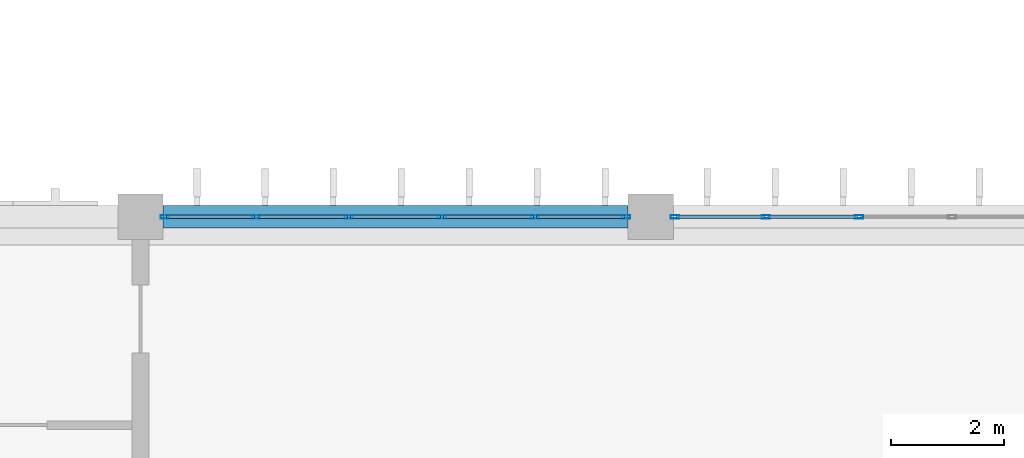
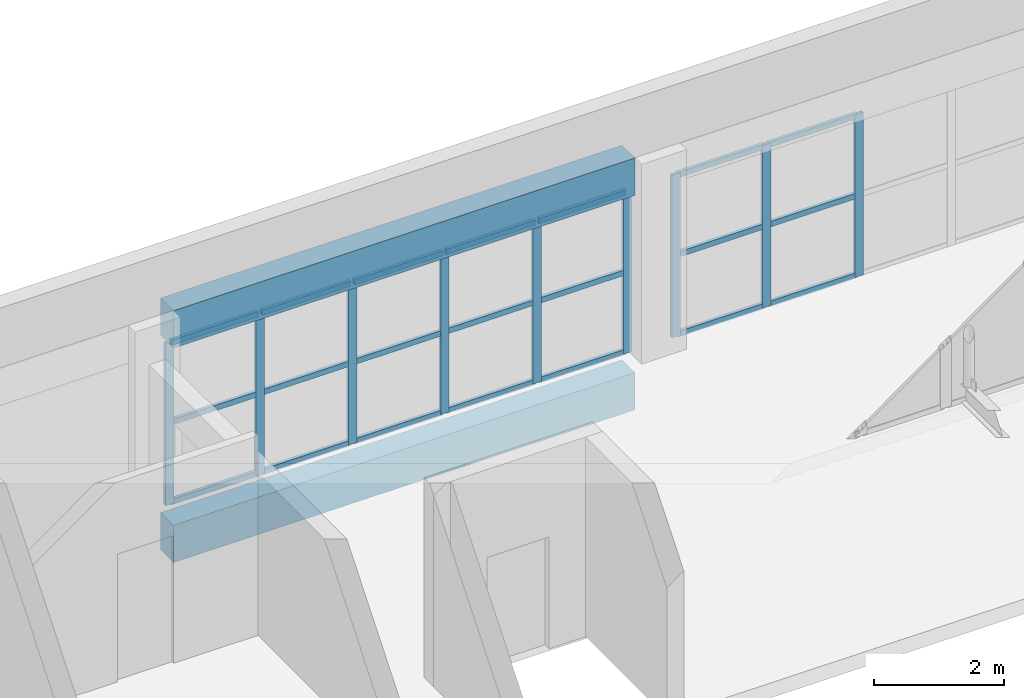
# One storey, part 56 of 185: 30 members, 2 beams, 2 elements without a shape of their own.
"""IFC4 building model written with IfcOpenShell, lengths in metres."""

from ifc_helpers import new_model, si_unit, direction, frame, origin, origin_2d, place, context, subcontext, project, spatial, rectangle, hollow_rectangle, extrude, material, layer, layer_set, material_profile, profile_set, type_object, element, aggregate, save


model = new_model("IFC4")

# Units and contexts
model_context = context("Model", 3, precision=1e-05, world=origin(), true_north=direction((0.0, 1.0)))
body_context = subcontext(model_context, "Body", "Model", "MODEL_VIEW")
ifc_project = project(units=[si_unit("LENGTHUNIT", "METRE"), si_unit("AREAUNIT", "SQUARE_METRE"), si_unit("VOLUMEUNIT", "CUBIC_METRE"), si_unit("PLANEANGLEUNIT", "RADIAN"), si_unit("MASSUNIT", "GRAM", prefix="KILO")], contexts=[model_context])

# Site, building, storey
site_placement = place(None, origin())
site = spatial("IfcSite", under=ifc_project, at=site_placement, CompositionType="ELEMENT")
building_placement = place(site_placement, origin())
building = spatial("IfcBuilding", under=site, at=building_placement, Name="Opaline Strait Convention Centre", CompositionType="ELEMENT")
storey_placement = place(building_placement, frame((0.0, 0.0, 6.0)))
storey = spatial("IfcBuildingStorey", under=building, at=storey_placement, Name="L01", CompositionType="ELEMENT", Elevation=6.0)

# Curtain wall, members
ifc_material_1 = material(Name="Aluminium 6063-T5", Category="aluminium")
ifc_layer = layer(ifc_material_1, 0.199951171875)
ifc_layer_set = layer_set([ifc_layer], Name="Aluminium 6063-T5")
curtain_wall_type = type_object("IfcCurtainWallType", Name="Unitised curtain wall 1640 module", PredefinedType="NOTDEFINED", material=ifc_layer_set)
curtain_wall_1_placement = place(storey_placement, origin())
curtain_wall_1 = element("IfcCurtainWall", 1, at=curtain_wall_1_placement, inside=storey, type_object=curtain_wall_type, Name="Ballroom north curtain wall L01 bay 2", PredefinedType="NOTDEFINED")
ifc_material_2 = material(Name="Aluminium alloy 6063", Category="aluminium")
ifc_material_profile_1 = material_profile(ifc_material_2, hollow_rectangle(XDim=0.06005859375, YDim=0.14990234375, WallThickness=0.00390625, at=origin_2d()), Name="MULLION 60x150x4")
ifc_profile_set_1 = profile_set([ifc_material_profile_1], Name="Aluminium alloy 6063")
member_type_1 = type_object("IfcMemberType", Name="Curtain wall mullion 60 x 150", PredefinedType="MULLION", material=ifc_profile_set_1)
member_1_placement = place(storey_placement, frame((297.429931640625, 72.0, 0.0), z_axis=(0.0, 0.0, 1.0), x_axis=(0.0, 1.0, 0.0)))
member_1 = element("IfcMember", 2, at=member_1_placement, type_object=member_type_1, Name="BG2 mullion 1", PredefinedType="MULLION", context=body_context, shape_type="SweptSolid", body=[
    extrude(hollow_rectangle(XDim=0.06005859375, YDim=0.14990234375, WallThickness=0.00390625, at=origin_2d()), origin(), (0.0, 0.0, 1.0), 3.050048828125),
])
member_2_placement = place(storey_placement, frame((299.0400390625, 72.0, 0.0), z_axis=(0.0, 0.0, 1.0), x_axis=(0.0, 1.0, 0.0)))
member_2 = element("IfcMember", 3, at=member_2_placement, type_object=member_type_1, Name="BG2 mullion 2", PredefinedType="MULLION", context=body_context, shape_type="SweptSolid", body=[
    extrude(hollow_rectangle(XDim=0.06005859375, YDim=0.14990234375, WallThickness=0.00390625, at=origin_2d()), origin(), (0.0, 0.0, 1.0), 3.050048828125),
])
member_3_placement = place(storey_placement, frame((300.679931640625, 72.0, 0.0), z_axis=(0.0, 0.0, 1.0), x_axis=(0.0, 1.0, 0.0)))
member_3 = element("IfcMember", 4, at=member_3_placement, type_object=member_type_1, Name="BG2 mullion 3", PredefinedType="MULLION", context=body_context, shape_type="SweptSolid", body=[
    extrude(hollow_rectangle(XDim=0.06005859375, YDim=0.14990234375, WallThickness=0.00390625, at=origin_2d()), origin(), (0.0, 0.0, 1.0), 3.050048828125),
])
member_4_placement = place(storey_placement, frame((302.320068359375, 72.0, 0.0), z_axis=(0.0, 0.0, 1.0), x_axis=(0.0, 1.0, 0.0)))
member_4 = element("IfcMember", 5, at=member_4_placement, type_object=member_type_1, Name="BG2 mullion 4", PredefinedType="MULLION", context=body_context, shape_type="SweptSolid", body=[
    extrude(hollow_rectangle(XDim=0.06005859375, YDim=0.14990234375, WallThickness=0.00390625, at=origin_2d()), origin(), (0.0, 0.0, 1.0), 3.050048828125),
])
member_5_placement = place(storey_placement, frame((303.9599609375, 72.0, 0.0), z_axis=(0.0, 0.0, 1.0), x_axis=(0.0, 1.0, 0.0)))
member_5 = element("IfcMember", 6, at=member_5_placement, type_object=member_type_1, Name="BG2 mullion 5", PredefinedType="MULLION", context=body_context, shape_type="SweptSolid", body=[
    extrude(hollow_rectangle(XDim=0.06005859375, YDim=0.14990234375, WallThickness=0.00390625, at=origin_2d()), origin(), (0.0, 0.0, 1.0), 3.050048828125),
])
member_6_placement = place(storey_placement, frame((305.570068359375, 72.0, 0.0), z_axis=(0.0, 0.0, 1.0), x_axis=(0.0, 1.0, 0.0)))
member_6 = element("IfcMember", 7, at=member_6_placement, type_object=member_type_1, Name="BG2 mullion 6", PredefinedType="MULLION", context=body_context, shape_type="SweptSolid", body=[
    extrude(hollow_rectangle(XDim=0.06005859375, YDim=0.14990234375, WallThickness=0.00390625, at=origin_2d()), origin(), (0.0, 0.0, 1.0), 3.050048828125),
])

curtain_wall_2_placement = place(storey_placement, origin())
curtain_wall_2 = element("IfcCurtainWall", 8, at=curtain_wall_2_placement, inside=storey, type_object=curtain_wall_type, Name="Ballroom north curtain wall L01 bay 3", PredefinedType="NOTDEFINED")
member_7_placement = place(storey_placement, frame((306.429931640625, 72.0, 0.0), z_axis=(0.0, 0.0, 1.0), x_axis=(0.0, 1.0, 0.0)))
member_7 = element("IfcMember", 9, at=member_7_placement, type_object=member_type_1, Name="BG2 mullion 1", PredefinedType="MULLION", context=body_context, shape_type="SweptSolid", body=[
    extrude(hollow_rectangle(XDim=0.06005859375, YDim=0.14990234375, WallThickness=0.00390625, at=origin_2d()), origin(), (0.0, 0.0, 1.0), 3.050048828125),
])
member_8_placement = place(storey_placement, frame((308.0400390625, 72.0, 0.0), z_axis=(0.0, 0.0, 1.0), x_axis=(0.0, 1.0, 0.0)))
member_8 = element("IfcMember", 10, at=member_8_placement, type_object=member_type_1, Name="BG2 mullion 2", PredefinedType="MULLION", context=body_context, shape_type="SweptSolid", body=[
    extrude(hollow_rectangle(XDim=0.06005859375, YDim=0.14990234375, WallThickness=0.00390625, at=origin_2d()), origin(), (0.0, 0.0, 1.0), 3.050048828125),
])
member_9_placement = place(storey_placement, frame((309.679931640625, 72.0, 0.0), z_axis=(0.0, 0.0, 1.0), x_axis=(0.0, 1.0, 0.0)))
member_9 = element("IfcMember", 11, at=member_9_placement, type_object=member_type_1, Name="BG2 mullion 3", PredefinedType="MULLION", context=body_context, shape_type="SweptSolid", body=[
    extrude(hollow_rectangle(XDim=0.06005859375, YDim=0.14990234375, WallThickness=0.00390625, at=origin_2d()), origin(), (0.0, 0.0, 1.0), 3.050048828125),
])

# Member
ifc_material_profile_2 = material_profile(ifc_material_2, hollow_rectangle(XDim=0.06005859375, YDim=0.10009765625, WallThickness=0.0029296875, at=origin_2d()), Name="TRANSOM 60x100x3")
ifc_profile_set_2 = profile_set([ifc_material_profile_2], Name="Aluminium alloy 6063")
member_type_2 = type_object("IfcMemberType", Name="Curtain wall transom 60 x 100", PredefinedType="USERDEFINED", material=ifc_profile_set_2)
member_10_placement = place(storey_placement, frame((297.4599609375, 72.0, 0.030029296875), z_axis=(1.0, 0.0, 0.0), x_axis=(0.0, 1.0, 0.0)))
member_10 = element("IfcMember", 12, at=member_10_placement, type_object=member_type_2, Name="BG2 transom 1.1", ObjectType="TRANSOM", PredefinedType="USERDEFINED", context=body_context, shape_type="SweptSolid", body=[
    extrude(hollow_rectangle(XDim=0.06005859375, YDim=0.10009765625, WallThickness=0.0029296875, at=origin_2d()), origin(), (0.0, 0.0, 1.0), 1.550048828125),
])

member_11_placement = place(storey_placement, frame((297.4599609375, 72.0, 1.52490234375), z_axis=(1.0, 0.0, 0.0), x_axis=(0.0, 1.0, 0.0)))
member_11 = element("IfcMember", 13, at=member_11_placement, type_object=member_type_2, Name="BG2 transom 1.2", ObjectType="TRANSOM", PredefinedType="USERDEFINED", context=body_context, shape_type="SweptSolid", body=[
    extrude(hollow_rectangle(XDim=0.06005859375, YDim=0.10009765625, WallThickness=0.0029296875, at=origin_2d()), origin(), (0.0, 0.0, 1.0), 1.550048828125),
])

member_12_placement = place(storey_placement, frame((297.4599609375, 72.0, 3.02001953125), z_axis=(1.0, 0.0, 0.0), x_axis=(0.0, 1.0, 0.0)))
member_12 = element("IfcMember", 14, at=member_12_placement, type_object=member_type_2, Name="BG2 transom 1.3", ObjectType="TRANSOM", PredefinedType="USERDEFINED", context=body_context, shape_type="SweptSolid", body=[
    extrude(hollow_rectangle(XDim=0.06005859375, YDim=0.10009765625, WallThickness=0.0029296875, at=origin_2d()), origin(), (0.0, 0.0, 1.0), 1.550048828125),
])

member_13_placement = place(storey_placement, frame((299.06982421875, 72.0, 0.030029296875), z_axis=(1.0, 0.0, 0.0), x_axis=(0.0, 1.0, 0.0)))
member_13 = element("IfcMember", 15, at=member_13_placement, type_object=member_type_2, Name="BG2 transom 2.1", ObjectType="TRANSOM", PredefinedType="USERDEFINED", context=body_context, shape_type="SweptSolid", body=[
    extrude(hollow_rectangle(XDim=0.06005859375, YDim=0.10009765625, WallThickness=0.0029296875, at=origin_2d()), origin(), (0.0, 0.0, 1.0), 1.580078125),
])

member_14_placement = place(storey_placement, frame((299.06982421875, 72.0, 1.52490234375), z_axis=(1.0, 0.0, 0.0), x_axis=(0.0, 1.0, 0.0)))
member_14 = element("IfcMember", 16, at=member_14_placement, type_object=member_type_2, Name="BG2 transom 2.2", ObjectType="TRANSOM", PredefinedType="USERDEFINED", context=body_context, shape_type="SweptSolid", body=[
    extrude(hollow_rectangle(XDim=0.06005859375, YDim=0.10009765625, WallThickness=0.0029296875, at=origin_2d()), origin(), (0.0, 0.0, 1.0), 1.580078125),
])

member_15_placement = place(storey_placement, frame((299.06982421875, 72.0, 3.02001953125), z_axis=(1.0, 0.0, 0.0), x_axis=(0.0, 1.0, 0.0)))
member_15 = element("IfcMember", 17, at=member_15_placement, type_object=member_type_2, Name="BG2 transom 2.3", ObjectType="TRANSOM", PredefinedType="USERDEFINED", context=body_context, shape_type="SweptSolid", body=[
    extrude(hollow_rectangle(XDim=0.06005859375, YDim=0.10009765625, WallThickness=0.0029296875, at=origin_2d()), origin(), (0.0, 0.0, 1.0), 1.580078125),
])

member_16_placement = place(storey_placement, frame((300.7099609375, 72.0, 0.030029296875), z_axis=(1.0, 0.0, 0.0), x_axis=(0.0, 1.0, 0.0)))
member_16 = element("IfcMember", 18, at=member_16_placement, type_object=member_type_2, Name="BG2 transom 3.1", ObjectType="TRANSOM", PredefinedType="USERDEFINED", context=body_context, shape_type="SweptSolid", body=[
    extrude(hollow_rectangle(XDim=0.06005859375, YDim=0.10009765625, WallThickness=0.0029296875, at=origin_2d()), origin(), (0.0, 0.0, 1.0), 1.580078125),
])

member_17_placement = place(storey_placement, frame((300.7099609375, 72.0, 1.52490234375), z_axis=(1.0, 0.0, 0.0), x_axis=(0.0, 1.0, 0.0)))
member_17 = element("IfcMember", 19, at=member_17_placement, type_object=member_type_2, Name="BG2 transom 3.2", ObjectType="TRANSOM", PredefinedType="USERDEFINED", context=body_context, shape_type="SweptSolid", body=[
    extrude(hollow_rectangle(XDim=0.06005859375, YDim=0.10009765625, WallThickness=0.0029296875, at=origin_2d()), origin(), (0.0, 0.0, 1.0), 1.580078125),
])

member_18_placement = place(storey_placement, frame((300.7099609375, 72.0, 3.02001953125), z_axis=(1.0, 0.0, 0.0), x_axis=(0.0, 1.0, 0.0)))
member_18 = element("IfcMember", 20, at=member_18_placement, type_object=member_type_2, Name="BG2 transom 3.3", ObjectType="TRANSOM", PredefinedType="USERDEFINED", context=body_context, shape_type="SweptSolid", body=[
    extrude(hollow_rectangle(XDim=0.06005859375, YDim=0.10009765625, WallThickness=0.0029296875, at=origin_2d()), origin(), (0.0, 0.0, 1.0), 1.580078125),
])

member_19_placement = place(storey_placement, frame((302.35009765625, 72.0, 0.030029296875), z_axis=(1.0, 0.0, 0.0), x_axis=(0.0, 1.0, 0.0)))
member_19 = element("IfcMember", 21, at=member_19_placement, type_object=member_type_2, Name="BG2 transom 4.1", ObjectType="TRANSOM", PredefinedType="USERDEFINED", context=body_context, shape_type="SweptSolid", body=[
    extrude(hollow_rectangle(XDim=0.06005859375, YDim=0.10009765625, WallThickness=0.0029296875, at=origin_2d()), origin(), (0.0, 0.0, 1.0), 1.580078125),
])

member_20_placement = place(storey_placement, frame((302.35009765625, 72.0, 1.52490234375), z_axis=(1.0, 0.0, 0.0), x_axis=(0.0, 1.0, 0.0)))
member_20 = element("IfcMember", 22, at=member_20_placement, type_object=member_type_2, Name="BG2 transom 4.2", ObjectType="TRANSOM", PredefinedType="USERDEFINED", context=body_context, shape_type="SweptSolid", body=[
    extrude(hollow_rectangle(XDim=0.06005859375, YDim=0.10009765625, WallThickness=0.0029296875, at=origin_2d()), origin(), (0.0, 0.0, 1.0), 1.580078125),
])

member_21_placement = place(storey_placement, frame((302.35009765625, 72.0, 3.02001953125), z_axis=(1.0, 0.0, 0.0), x_axis=(0.0, 1.0, 0.0)))
member_21 = element("IfcMember", 23, at=member_21_placement, type_object=member_type_2, Name="BG2 transom 4.3", ObjectType="TRANSOM", PredefinedType="USERDEFINED", context=body_context, shape_type="SweptSolid", body=[
    extrude(hollow_rectangle(XDim=0.06005859375, YDim=0.10009765625, WallThickness=0.0029296875, at=origin_2d()), origin(), (0.0, 0.0, 1.0), 1.580078125),
])

member_22_placement = place(storey_placement, frame((303.989990234375, 72.0, 0.030029296875), z_axis=(1.0, 0.0, 0.0), x_axis=(0.0, 1.0, 0.0)))
member_22 = element("IfcMember", 24, at=member_22_placement, type_object=member_type_2, Name="BG2 transom 5.1", ObjectType="TRANSOM", PredefinedType="USERDEFINED", context=body_context, shape_type="SweptSolid", body=[
    extrude(hollow_rectangle(XDim=0.06005859375, YDim=0.10009765625, WallThickness=0.0029296875, at=origin_2d()), origin(), (0.0, 0.0, 1.0), 1.550048828125),
])

member_23_placement = place(storey_placement, frame((303.989990234375, 72.0, 1.52490234375), z_axis=(1.0, 0.0, 0.0), x_axis=(0.0, 1.0, 0.0)))
member_23 = element("IfcMember", 25, at=member_23_placement, type_object=member_type_2, Name="BG2 transom 5.2", ObjectType="TRANSOM", PredefinedType="USERDEFINED", context=body_context, shape_type="SweptSolid", body=[
    extrude(hollow_rectangle(XDim=0.06005859375, YDim=0.10009765625, WallThickness=0.0029296875, at=origin_2d()), origin(), (0.0, 0.0, 1.0), 1.550048828125),
])

member_24_placement = place(storey_placement, frame((303.989990234375, 72.0, 3.02001953125), z_axis=(1.0, 0.0, 0.0), x_axis=(0.0, 1.0, 0.0)))
member_24 = element("IfcMember", 26, at=member_24_placement, type_object=member_type_2, Name="BG2 transom 5.3", ObjectType="TRANSOM", PredefinedType="USERDEFINED", context=body_context, shape_type="SweptSolid", body=[
    extrude(hollow_rectangle(XDim=0.06005859375, YDim=0.10009765625, WallThickness=0.0029296875, at=origin_2d()), origin(), (0.0, 0.0, 1.0), 1.550048828125),
])

aggregate(curtain_wall_1, [member_1, member_2, member_3, member_4, member_5, member_6, member_10, member_11, member_12, member_13, member_14, member_15, member_16, member_17, member_18, member_19, member_20, member_21, member_22, member_23, member_24])

member_25_placement = place(storey_placement, frame((306.4599609375, 72.0, 0.030029296875), z_axis=(1.0, 0.0, 0.0), x_axis=(0.0, 1.0, 0.0)))
member_25 = element("IfcMember", 27, at=member_25_placement, type_object=member_type_2, Name="BG2 transom 1.1", ObjectType="TRANSOM", PredefinedType="USERDEFINED", context=body_context, shape_type="SweptSolid", body=[
    extrude(hollow_rectangle(XDim=0.06005859375, YDim=0.10009765625, WallThickness=0.0029296875, at=origin_2d()), origin(), (0.0, 0.0, 1.0), 1.550048828125),
])

member_26_placement = place(storey_placement, frame((306.4599609375, 72.0, 1.52490234375), z_axis=(1.0, 0.0, 0.0), x_axis=(0.0, 1.0, 0.0)))
member_26 = element("IfcMember", 28, at=member_26_placement, type_object=member_type_2, Name="BG2 transom 1.2", ObjectType="TRANSOM", PredefinedType="USERDEFINED", context=body_context, shape_type="SweptSolid", body=[
    extrude(hollow_rectangle(XDim=0.06005859375, YDim=0.10009765625, WallThickness=0.0029296875, at=origin_2d()), origin(), (0.0, 0.0, 1.0), 1.550048828125),
])

member_27_placement = place(storey_placement, frame((306.4599609375, 72.0, 3.02001953125), z_axis=(1.0, 0.0, 0.0), x_axis=(0.0, 1.0, 0.0)))
member_27 = element("IfcMember", 29, at=member_27_placement, type_object=member_type_2, Name="BG2 transom 1.3", ObjectType="TRANSOM", PredefinedType="USERDEFINED", context=body_context, shape_type="SweptSolid", body=[
    extrude(hollow_rectangle(XDim=0.06005859375, YDim=0.10009765625, WallThickness=0.0029296875, at=origin_2d()), origin(), (0.0, 0.0, 1.0), 1.550048828125),
])

member_28_placement = place(storey_placement, frame((308.06982421875, 72.0, 0.030029296875), z_axis=(1.0, 0.0, 0.0), x_axis=(0.0, 1.0, 0.0)))
member_28 = element("IfcMember", 30, at=member_28_placement, type_object=member_type_2, Name="BG2 transom 2.1", ObjectType="TRANSOM", PredefinedType="USERDEFINED", context=body_context, shape_type="SweptSolid", body=[
    extrude(hollow_rectangle(XDim=0.06005859375, YDim=0.10009765625, WallThickness=0.0029296875, at=origin_2d()), origin(), (0.0, 0.0, 1.0), 1.580078125),
])

member_29_placement = place(storey_placement, frame((308.06982421875, 72.0, 1.52490234375), z_axis=(1.0, 0.0, 0.0), x_axis=(0.0, 1.0, 0.0)))
member_29 = element("IfcMember", 31, at=member_29_placement, type_object=member_type_2, Name="BG2 transom 2.2", ObjectType="TRANSOM", PredefinedType="USERDEFINED", context=body_context, shape_type="SweptSolid", body=[
    extrude(hollow_rectangle(XDim=0.06005859375, YDim=0.10009765625, WallThickness=0.0029296875, at=origin_2d()), origin(), (0.0, 0.0, 1.0), 1.580078125),
])

member_30_placement = place(storey_placement, frame((308.06982421875, 72.0, 3.02001953125), z_axis=(1.0, 0.0, 0.0), x_axis=(0.0, 1.0, 0.0)))
member_30 = element("IfcMember", 32, at=member_30_placement, type_object=member_type_2, Name="BG2 transom 2.3", ObjectType="TRANSOM", PredefinedType="USERDEFINED", context=body_context, shape_type="SweptSolid", body=[
    extrude(hollow_rectangle(XDim=0.06005859375, YDim=0.10009765625, WallThickness=0.0029296875, at=origin_2d()), origin(), (0.0, 0.0, 1.0), 1.580078125),
])

aggregate(curtain_wall_2, [member_7, member_8, member_9, member_25, member_26, member_27, member_28, member_29, member_30])

# Beams
ifc_material_3 = material(Name="Concrete C35", Category="concrete")
ifc_material_profile_3 = material_profile(ifc_material_3, rectangle(XDim=0.39990234375, YDim=0.699951171875, at=origin_2d()), Name="RC 400x700")
ifc_profile_set_3 = profile_set([ifc_material_profile_3], Name="Concrete C35")
beam_type = type_object("IfcBeamType", Name="RC girder 400x700 C35", PredefinedType="BEAM", material=ifc_profile_set_3)
for number, where, z_axis, x_axis, name in (
    (33, (297.39990234375, 72.0, -0.6298828125), (1.0, 0.0, 0.0), (0.0, 1.0, 0.0), "BB1 girder 34/J-35/J F"),
    (34, (297.39990234375, 72.0, 3.39990234375), (1.0, 0.0, 0.0), (0.0, 1.0, 0.0), "BB1 girder 34/J-35/J R"),
):
    element("IfcBeam", number, at=place(storey_placement, frame(where, z_axis=z_axis, x_axis=x_axis)), inside=storey, type_object=beam_type, Name=name, PredefinedType="BEAM", context=body_context, shape_type="SweptSolid", body=[
        extrude(rectangle(XDim=0.39990234375, YDim=0.699951171875, at=origin_2d()), origin(), (0.0, 0.0, 1.0), 8.2001953125),
    ])

save(model, "model.ifc")
